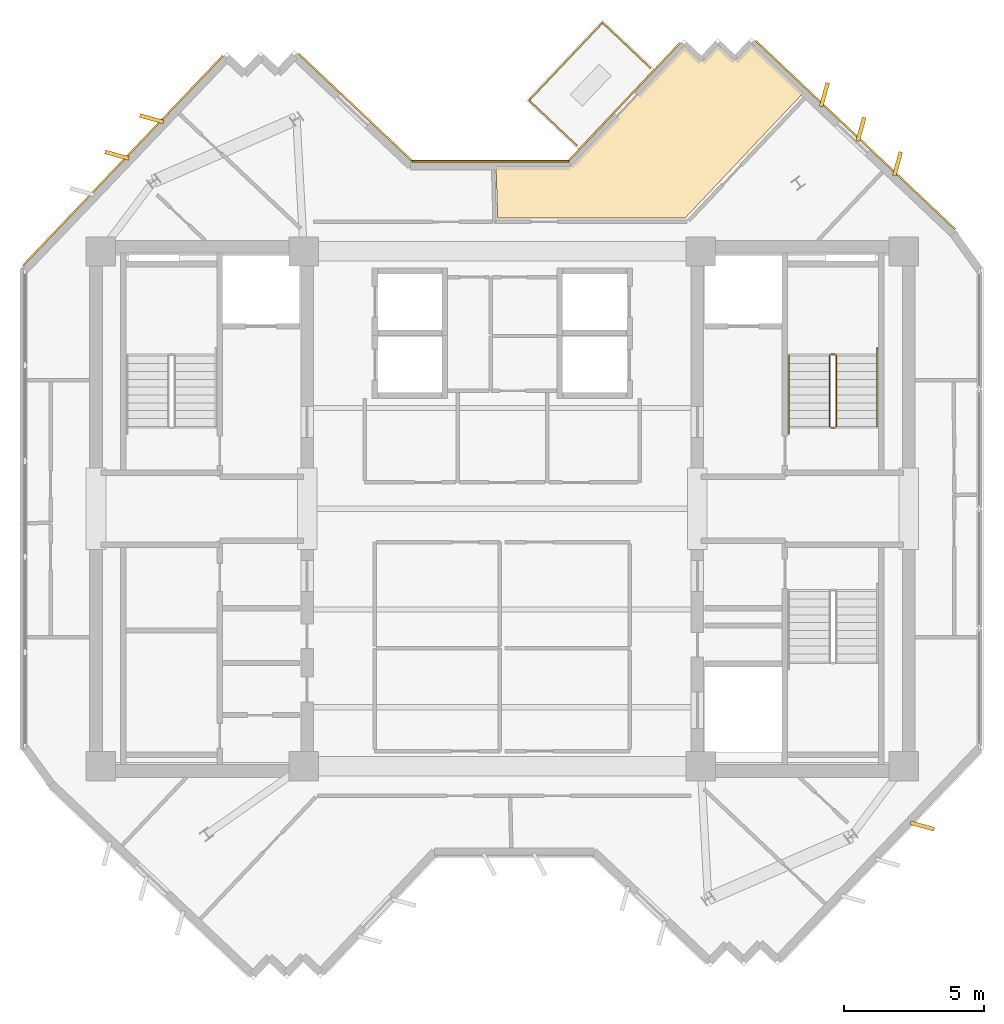
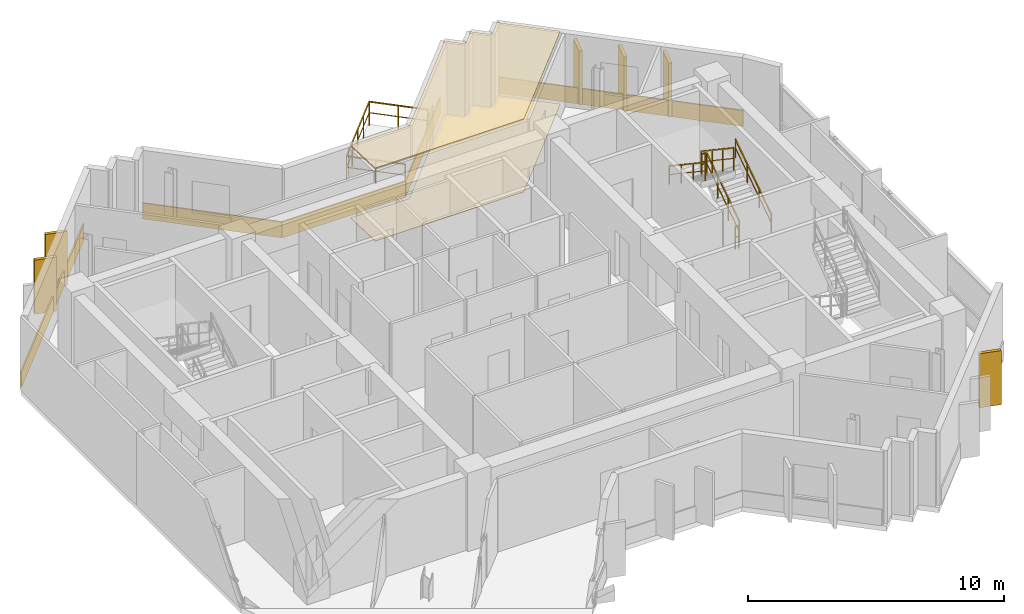
# One storey, part 9 of 9: 13 coverings, 9 railings.
"""IFC4 building model written with IfcOpenShell, lengths in metres."""

from ifc_helpers import new_model, si_unit, direction, frame, origin, origin_2d, place, context, subcontext, project, spatial, polyline, rectangle, outline, extrude, source, transform, mapped, material, layer, layer_set, type_object, element, save


model = new_model("IFC4")

# Units and contexts
model_context = context("Model", 3, precision=1e-05, world=origin(), true_north=direction((0.0, 1.0)))
body_context = subcontext(model_context, "Body", "Model", "MODEL_VIEW")
ifc_project = project(units=[si_unit("LENGTHUNIT", "METRE"), si_unit("AREAUNIT", "SQUARE_METRE"), si_unit("VOLUMEUNIT", "CUBIC_METRE"), si_unit("PLANEANGLEUNIT", "RADIAN"), si_unit("MASSUNIT", "GRAM", prefix="KILO")], contexts=[model_context])

# Site, building, storey
site_placement = place(None, origin())
site = spatial("IfcSite", under=ifc_project, at=site_placement, CompositionType="ELEMENT")
building_placement = place(site_placement, origin())
building = spatial("IfcBuilding", under=site, at=building_placement, Name="Zahravan Cultural Tower", CompositionType="ELEMENT")
storey_placement = place(building_placement, frame((0.0, 0.0, 302.85009765625)))
storey = spatial("IfcBuildingStorey", under=building, at=storey_placement, Name="L73", CompositionType="ELEMENT", Elevation=302.85009765625)

# Coverings
ifc_material_1 = material(Name="Acoustic mineral fibreboard")
ifc_layer_1 = layer(ifc_material_1, 0.0400390625)
ifc_layer_set_1 = layer_set([ifc_layer_1], Name="Acoustic mineral fibreboard")
covering_type_1 = type_object("IfcCoveringType", Name="COV-CEIL-AC20", PredefinedType="CEILING", material=ifc_layer_set_1)
covering_1_placement = place(storey_placement, frame((0.0, 0.0, 3.4599609375)))
element("IfcCovering", 1, at=covering_1_placement, inside=storey, type_object=covering_type_1, Name="L73 Acoustic Suspended Ceiling", PredefinedType="CEILING", context=body_context, shape_type="SweptSolid", body=[
    extrude(outline(polyline([(44.910888671875, 43.62060546875), (44.431396484375, 43.11328125), (44.38671875, 43.08154296875), (44.3251953125, 43.0673828125), (44.262939453125, 43.077880859375), (44.21630859375, 43.107177734375), (43.709228515625, 43.58642578125), (43.22021484375, 43.069580078125), (43.1552734375, 43.03662109375), (43.076171875, 43.0380859375), (43.01611328125, 43.072021484375), (42.5078125, 43.552490234375), (38.4736328125, 39.2841796875), (38.427001953125, 39.25146484375), (38.37109375, 39.239990234375), (35.775390625, 39.239990234375), (35.8359375, 37.39990234375), (42.54052734375, 37.39990234375), (46.76416015625, 41.868896484375), (44.910888671875, 43.62060546875)])), origin(), (0.0, 0.0, 1.0), 0.0400390625),
])
ifc_material_2 = material(Name="Terrazzo flooring")
ifc_layer_2 = layer(ifc_material_2, 0.02490234375)
ifc_layer_set_2 = layer_set([ifc_layer_2], Name="Terrazzo flooring")
covering_type_2 = type_object("IfcCoveringType", Name="COV-FLR-TZ25", PredefinedType="FLOORING", material=ifc_layer_set_2)
covering_2_placement = place(storey_placement, origin())
element("IfcCovering", 2, at=covering_2_placement, inside=storey, type_object=covering_type_2, Name="L73 Polished Terrazzo Flooring", PredefinedType="FLOORING", context=body_context, shape_type="SweptSolid", body=[
    extrude(outline(polyline([(44.910888671875, 43.62060546875), (44.431396484375, 43.11328125), (44.38671875, 43.08154296875), (44.3251953125, 43.0673828125), (44.262939453125, 43.077880859375), (44.21630859375, 43.107177734375), (43.709228515625, 43.58642578125), (43.22021484375, 43.069580078125), (43.1552734375, 43.03662109375), (43.076171875, 43.0380859375), (43.01611328125, 43.072021484375), (42.5078125, 43.552490234375), (38.4736328125, 39.2841796875), (38.427001953125, 39.25146484375), (38.37109375, 39.239990234375), (35.775390625, 39.239990234375), (35.8359375, 37.39990234375), (42.54052734375, 37.39990234375), (46.76416015625, 41.868896484375), (44.910888671875, 43.62060546875)])), origin(), (0.0, 0.0, 1.0), 0.02490234375),
])

# Railings
ifc_material_3 = material(Name="Steel ASTM A572 Grade 50", Category="steel")
railing_type_1 = type_object("IfcRailingType", Name="RL-BAL-1150", PredefinedType="BALUSTRADE", material=ifc_material_3)
railing_1_placement = place(storey_placement, frame((36.960205078125, 41.599365234375, 0.0)))
element("IfcRailing", 3, at=railing_1_placement, inside=storey, type_object=railing_type_1, Name="L73 Edge Balustrade GRD-TR-L73-NE-01", PredefinedType="BALUSTRADE", context=body_context, shape_type="SweptSolid", body=[
    extrude(rectangle(XDim=0.05, YDim=0.05, at=origin_2d()), frame((0.0, 0.0, 1.125), z_axis=(0.686918114737, 0.726734823472, 0.0), x_axis=(-0.726734823472, 0.686918114737, 0.0)), (0.0, 0.0, 1.0), 3.820068359375),
    extrude(rectangle(XDim=0.032, YDim=0.032, at=origin_2d()), frame((0.0, 0.0, 0.597900390625), z_axis=(0.686918114737, 0.726734823472, 0.0), x_axis=(-0.726734823472, 0.686918114737, 0.0)), (0.0, 0.0, 1.0), 3.820068359375),
    extrude(rectangle(XDim=0.04, YDim=0.04, at=origin_2d()), origin(), (0.0, 0.0, 1.0), 1.14990234375),
    extrude(rectangle(XDim=0.04, YDim=0.04, at=origin_2d()), frame((0.656005859375, 0.694091796875, 0.0)), (0.0, 0.0, 1.0), 1.14990234375),
    extrude(rectangle(XDim=0.04, YDim=0.04, at=origin_2d()), frame((1.31201171875, 1.38818359375, 0.0)), (0.0, 0.0, 1.0), 1.14990234375),
    extrude(rectangle(XDim=0.04, YDim=0.04, at=origin_2d()), frame((1.968017578125, 2.08203125, 0.0)), (0.0, 0.0, 1.0), 1.14990234375),
    extrude(rectangle(XDim=0.04, YDim=0.04, at=origin_2d()), frame((2.6240234375, 2.776123046875, 0.0)), (0.0, 0.0, 1.0), 1.14990234375),
])
railing_2_placement = place(storey_placement, frame((39.584228515625, 44.37548828125, 0.0)))
element("IfcRailing", 4, at=railing_2_placement, inside=storey, type_object=railing_type_1, Name="L73 Edge Balustrade GRD-TR-L73-NE-02", PredefinedType="BALUSTRADE", context=body_context, shape_type="SweptSolid", body=[
    extrude(rectangle(XDim=0.05, YDim=0.05, at=origin_2d()), frame((0.0, 0.0, 1.125), z_axis=(0.726773954161, -0.686876713504, 0.0), x_axis=(0.686876713504, 0.726773954161, 0.0)), (0.0, 0.0, 1.0), 2.349853515625),
    extrude(rectangle(XDim=0.032, YDim=0.032, at=origin_2d()), frame((0.0, 0.0, 0.597900390625), z_axis=(0.726773954161, -0.686876713504, 0.0), x_axis=(0.686876713504, 0.726773954161, 0.0)), (0.0, 0.0, 1.0), 2.349853515625),
    extrude(rectangle(XDim=0.04, YDim=0.04, at=origin_2d()), origin(), (0.0, 0.0, 1.0), 1.14990234375),
    extrude(rectangle(XDim=0.04, YDim=0.04, at=origin_2d()), frame((0.85400390625, -0.80712890625, 0.0)), (0.0, 0.0, 1.0), 1.14990234375),
    extrude(rectangle(XDim=0.04, YDim=0.04, at=origin_2d()), frame((1.707763671875, -1.614013671875, 0.0)), (0.0, 0.0, 1.0), 1.14990234375),
])
railing_3_placement = place(storey_placement, frame((38.668212890625, 39.985107421875, 0.0)))
element("IfcRailing", 5, at=railing_3_placement, inside=storey, type_object=railing_type_1, Name="L73 Edge Balustrade GRD-TR-L73-NE-03", PredefinedType="BALUSTRADE", context=body_context, shape_type="SweptSolid", body=[
    extrude(rectangle(XDim=0.05, YDim=0.05, at=origin_2d()), frame((0.0, 0.0, 1.125), z_axis=(-0.726771107272, 0.686879725741, 0.0), x_axis=(-0.686879725741, -0.726771107272, 0.0)), (0.0, 0.0, 1.0), 2.35009765625),
    extrude(rectangle(XDim=0.032, YDim=0.032, at=origin_2d()), frame((0.0, 0.0, 0.597900390625), z_axis=(-0.726771107272, 0.686879725741, 0.0), x_axis=(-0.686879725741, -0.726771107272, 0.0)), (0.0, 0.0, 1.0), 2.35009765625),
    extrude(rectangle(XDim=0.04, YDim=0.04, at=origin_2d()), origin(), (0.0, 0.0, 1.0), 1.14990234375),
    extrude(rectangle(XDim=0.04, YDim=0.04, at=origin_2d()), frame((-0.85400390625, 0.80712890625, 0.0)), (0.0, 0.0, 1.0), 1.14990234375),
    extrude(rectangle(XDim=0.04, YDim=0.04, at=origin_2d()), frame((-1.7080078125, 1.6142578125, 0.0)), (0.0, 0.0, 1.0), 1.14990234375),
])
railing_type_2 = type_object("IfcRailingType", Name="RL-STAIR-GRD1150", PredefinedType="BALUSTRADE", material=ifc_material_3)
railing_4_placement = place(storey_placement, frame((47.949951171875, 29.949951171875, 0.1875)))
element("IfcRailing", 6, at=railing_4_placement, inside=storey, type_object=railing_type_2, Name="L73 ST-E1 stair guard 1", PredefinedType="BALUSTRADE", context=body_context, shape_type="SweptSolid", body=[
    extrude(rectangle(XDim=0.05, YDim=0.05, at=origin_2d()), frame((0.0, 0.0, 1.0751953125), z_axis=(0.0, 0.830909170722, 0.55640807867), x_axis=(-1.0, 0.0, 0.0)), (0.0, 0.0, 1.0), 3.032958984375),
    extrude(rectangle(XDim=0.032, YDim=0.032, at=origin_2d()), frame((0.0, 0.0, 0.572021484375), z_axis=(0.0, 0.830909170722, 0.55640807867), x_axis=(-1.0, 0.0, 0.0)), (0.0, 0.0, 1.0), 3.032958984375),
    extrude(rectangle(XDim=0.04, YDim=0.04, at=origin_2d()), origin(), (0.0, 0.0, 1.0), 1.10009765625),
    extrude(rectangle(XDim=0.04, YDim=0.04, at=origin_2d()), frame((0.0, 0.840087890625, 0.5625)), (0.0, 0.0, 1.0), 1.10009765625),
    extrude(rectangle(XDim=0.04, YDim=0.04, at=origin_2d()), frame((0.0, 1.679931640625, 1.125)), (0.0, 0.0, 1.0), 1.10009765625),
    extrude(rectangle(XDim=0.04, YDim=0.04, at=origin_2d()), frame((0.0, 2.52001953125, 1.6875)), (0.0, 0.0, 1.0), 1.10009765625),
])
railing_5_placement = place(storey_placement, frame((47.89990234375, 32.52001953125, 1.875)))
element("IfcRailing", 7, at=railing_5_placement, inside=storey, type_object=railing_type_2, Name="L73 ST-E1 stair guard 2", PredefinedType="BALUSTRADE", context=body_context, shape_type="SweptSolid", body=[
    extrude(rectangle(XDim=0.05, YDim=0.05, at=origin_2d()), frame((0.0, 0.0, 1.0751953125), z_axis=(-1.0, 0.0, 0.0), x_axis=(0.0, -1.0, 0.0)), (0.0, 0.0, 1.0), 0.14990234375),
    extrude(rectangle(XDim=0.032, YDim=0.032, at=origin_2d()), frame((0.0, 0.0, 0.572021484375), z_axis=(-1.0, 0.0, 0.0), x_axis=(0.0, -1.0, 0.0)), (0.0, 0.0, 1.0), 0.14990234375),
    extrude(rectangle(XDim=0.04, YDim=0.04, at=origin_2d()), origin(), (0.0, 0.0, 1.0), 1.10009765625),
    extrude(rectangle(XDim=0.04, YDim=0.04, at=origin_2d()), frame((-0.14990234375, 0.0, 0.0)), (0.0, 0.0, 1.0), 1.10009765625),
])
railing_6_placement = place(storey_placement, frame((47.699951171875, 32.469970703125, 2.0625)))
element("IfcRailing", 8, at=railing_6_placement, inside=storey, type_object=railing_type_2, Name="L73 ST-E1 stair guard 3", PredefinedType="BALUSTRADE", context=body_context, shape_type="SweptSolid", body=[
    extrude(rectangle(XDim=0.05, YDim=0.05, at=origin_2d()), frame((0.0, 0.0, 1.0751953125), z_axis=(0.0, -0.830909170722, 0.55640807867), x_axis=(1.0, 0.0, 0.0)), (0.0, 0.0, 1.0), 3.032958984375),
    extrude(rectangle(XDim=0.032, YDim=0.032, at=origin_2d()), frame((0.0, 0.0, 0.572021484375), z_axis=(0.0, -0.830909170722, 0.55640807867), x_axis=(1.0, 0.0, 0.0)), (0.0, 0.0, 1.0), 3.032958984375),
    extrude(rectangle(XDim=0.04, YDim=0.04, at=origin_2d()), origin(), (0.0, 0.0, 1.0), 1.10009765625),
    extrude(rectangle(XDim=0.04, YDim=0.04, at=origin_2d()), frame((0.0, -0.840087890625, 0.5625)), (0.0, 0.0, 1.0), 1.10009765625),
    extrude(rectangle(XDim=0.04, YDim=0.04, at=origin_2d()), frame((0.0, -1.679931640625, 1.125)), (0.0, 0.0, 1.0), 1.10009765625),
    extrude(rectangle(XDim=0.04, YDim=0.04, at=origin_2d()), frame((0.0, -2.52001953125, 1.6875)), (0.0, 0.0, 1.0), 1.10009765625),
])
railing_7_placement = place(storey_placement, frame((47.89990234375, 29.89990234375, 0.0)))
element("IfcRailing", 9, at=railing_7_placement, inside=storey, type_object=railing_type_2, Name="L73 ST-E1 stair guard 4", PredefinedType="BALUSTRADE", context=body_context, shape_type="SweptSolid", body=[
    extrude(rectangle(XDim=0.05, YDim=0.05, at=origin_2d()), frame((0.0, 0.0, 1.0751953125), z_axis=(-1.0, 0.0, 0.0), x_axis=(0.0, -1.0, 0.0)), (0.0, 0.0, 1.0), 0.14990234375),
    extrude(rectangle(XDim=0.032, YDim=0.032, at=origin_2d()), frame((0.0, 0.0, 0.572021484375), z_axis=(-1.0, 0.0, 0.0), x_axis=(0.0, -1.0, 0.0)), (0.0, 0.0, 1.0), 0.14990234375),
    extrude(rectangle(XDim=0.04, YDim=0.04, at=origin_2d()), origin(), (0.0, 0.0, 1.0), 1.10009765625),
    extrude(rectangle(XDim=0.04, YDim=0.04, at=origin_2d()), frame((-0.14990234375, 0.0, 0.0)), (0.0, 0.0, 1.0), 1.10009765625),
])
railing_type_3 = type_object("IfcRailingType", Name="RL-STAIR-HR900", PredefinedType="HANDRAIL", material=ifc_material_3)
railing_8_placement = place(storey_placement, frame((49.39990234375, 29.949951171875, 0.1875)))
element("IfcRailing", 10, at=railing_8_placement, inside=storey, type_object=railing_type_3, Name="L73 ST-E1 stair handrail 1", PredefinedType="HANDRAIL", context=body_context, shape_type="SweptSolid", body=[
    extrude(rectangle(XDim=0.05, YDim=0.05, at=origin_2d()), frame((0.0, 0.0, 0.875), z_axis=(0.0, 0.830911662861, 0.55640435703), x_axis=(-1.0, 0.0, 0.0)), (0.0, 0.0, 1.0), 3.369873046875),
    extrude(rectangle(XDim=0.032, YDim=0.032, at=origin_2d()), frame((0.0, 0.0, 0.468017578125), z_axis=(0.0, 0.830911662861, 0.55640435703), x_axis=(-1.0, 0.0, 0.0)), (0.0, 0.0, 1.0), 3.369873046875),
    extrude(rectangle(XDim=0.04, YDim=0.04, at=origin_2d()), origin(), (0.0, 0.0, 1.0), 0.89990234375),
    extrude(rectangle(XDim=0.04, YDim=0.04, at=origin_2d()), frame((0.0, 0.933349609375, 0.625)), (0.0, 0.0, 1.0), 0.89990234375),
    extrude(rectangle(XDim=0.04, YDim=0.04, at=origin_2d()), frame((0.0, 1.86669921875, 1.25)), (0.0, 0.0, 1.0), 0.89990234375),
    extrude(rectangle(XDim=0.04, YDim=0.04, at=origin_2d()), frame((0.0, 2.800048828125, 1.875)), (0.0, 0.0, 1.0), 0.89990234375),
])
railing_9_placement = place(storey_placement, frame((46.25, 32.469970703125, 2.0625)))
element("IfcRailing", 11, at=railing_9_placement, inside=storey, type_object=railing_type_3, Name="L73 ST-E1 stair handrail 2", PredefinedType="HANDRAIL", context=body_context, shape_type="SweptSolid", body=[
    extrude(rectangle(XDim=0.05, YDim=0.05, at=origin_2d()), frame((0.0, 0.0, 0.875), z_axis=(0.0, -0.830911662861, 0.55640435703), x_axis=(1.0, 0.0, 0.0)), (0.0, 0.0, 1.0), 3.369873046875),
    extrude(rectangle(XDim=0.032, YDim=0.032, at=origin_2d()), frame((0.0, 0.0, 0.468017578125), z_axis=(0.0, -0.830911662861, 0.55640435703), x_axis=(1.0, 0.0, 0.0)), (0.0, 0.0, 1.0), 3.369873046875),
    extrude(rectangle(XDim=0.04, YDim=0.04, at=origin_2d()), origin(), (0.0, 0.0, 1.0), 0.89990234375),
    extrude(rectangle(XDim=0.04, YDim=0.04, at=origin_2d()), frame((0.0, -0.933349609375, 0.625)), (0.0, 0.0, 1.0), 0.89990234375),
    extrude(rectangle(XDim=0.04, YDim=0.04, at=origin_2d()), frame((0.0, -1.86669921875, 1.25)), (0.0, 0.0, 1.0), 0.89990234375),
    extrude(rectangle(XDim=0.04, YDim=0.04, at=origin_2d()), frame((0.0, -2.800048828125, 1.875)), (0.0, 0.0, 1.0), 0.89990234375),
])

# Coverings
ifc_material_4 = material(Name="Terracotta ceramic cladding", Category="masonry")
ifc_layer_3 = layer(ifc_material_4, 0.06005859375)
ifc_layer_set_3 = layer_set([ifc_layer_3], Name="Terracotta ceramic cladding")
covering_type_3 = type_object("IfcCoveringType", Name="COV-CLAD-TC60", PredefinedType="CLADDING", material=ifc_layer_set_3)
shared_shape_1 = source(origin(), body_context, "Body", "SweptSolid", [
    extrude(rectangle(XDim=9.820068359375, YDim=0.06005859375, at=origin_2d()), origin(), (0.0, 0.0, 1.0), 0.760009765625),
])
covering_3_placement = place(storey_placement, frame((48.628173828125, 40.36181640625, 0.02001953125), z_axis=(0.0, 0.0, 1.0), x_axis=(0.726766513668, -0.686884586092, 0.0)))
element("IfcCovering", 12, at=covering_3_placement, inside=storey, type_object=covering_type_3, Name="L73 Terracotta Spandrel Cladding 06", PredefinedType="CLADDING", context=body_context, shape_type="MappedRepresentation", body=[
    mapped(shared_shape_1, transform((0.0, 0.0, 0.0), x_axis=(1.0, 0.0, 0.0), y_axis=(0.0, 1.0, 0.0), z_axis=(0.0, 0.0, 1.0), scale=1.0)),
])
shared_shape_2 = source(origin(), body_context, "Body", "SweptSolid", [
    extrude(rectangle(XDim=0.8798828125, YDim=0.139892578125, at=origin_2d()), origin(), (0.0, 0.0, 1.0), 2.580078125),
])
for number, where, z_axis, x_axis, name in (
    (13, (47.515869140625, 41.805419921875, 0.0498046875), (0.0, 0.0, 1.0), (0.26528688091, 0.9641695239, 0.0), "L73 Herringbone Terracotta Fin 01"),
    (14, (48.823974609375, 40.56884765625, 0.0498046875), (0.0, 0.0, 1.0), (0.26528688091, 0.9641695239, 0.0), "L73 Herringbone Terracotta Fin 02"),
    (15, (50.132080078125, 39.33251953125, 0.0498046875), (0.0, 0.0, 1.0), (0.26528688091, 0.9641695239, 0.0), "L73 Herringbone Terracotta Fin 03"),
    (16, (51.015380859375, 15.661376953125, 0.0498046875), (0.0, 0.0, 1.0), (0.962998113332, -0.269508132935, 0.0), "L73 Herringbone Terracotta Fin 04"),
    (17, (22.226806640625, 39.641357421875, 0.0498046875), (0.0, 0.0, 1.0), (-0.962998113332, 0.269508132935, 0.0), "L73 Herringbone Terracotta Fin 17"),
    (18, (23.468994140625, 40.944091796875, 0.0498046875), (0.0, 0.0, 1.0), (-0.962998113332, 0.269508132935, 0.0), "L73 Herringbone Terracotta Fin 18"),
):
    element("IfcCovering", number, at=place(storey_placement, frame(where, z_axis=z_axis, x_axis=x_axis)), inside=storey, type_object=covering_type_3, Name=name, PredefinedType="CLADDING", context=body_context, shape_type="MappedRepresentation", body=[
        mapped(shared_shape_2, transform((0.0, 0.0, 0.0), x_axis=(1.0, 0.0, 0.0), y_axis=(0.0, 1.0, 0.0), z_axis=(0.0, 0.0, 1.0), scale=1.0)),
    ])
shared_shape_3 = source(origin(), body_context, "Body", "SweptSolid", [
    extrude(rectangle(XDim=5.84521484375, YDim=0.06005859375, at=origin_2d()), origin(), (0.0, 0.0, 1.0), 0.760009765625),
])
covering_4_placement = place(storey_placement, frame((40.34521484375, 41.53369140625, 0.02001953125), z_axis=(0.0, 0.0, 1.0), x_axis=(0.686871901519, 0.726778501955, 0.0)))
element("IfcCovering", 19, at=covering_4_placement, inside=storey, type_object=covering_type_3, Name="L73 Terracotta Spandrel Cladding 01", PredefinedType="CLADDING", context=body_context, shape_type="MappedRepresentation", body=[
    mapped(shared_shape_3, transform((0.0, 0.0, 0.0), x_axis=(1.0, 0.0, 0.0), y_axis=(0.0, 1.0, 0.0), z_axis=(0.0, 0.0, 1.0), scale=1.0)),
])
shared_shape_4 = source(origin(), body_context, "Body", "SweptSolid", [
    extrude(rectangle(XDim=10.3701171875, YDim=0.06005859375, at=origin_2d()), origin(), (0.0, 0.0, 1.0), 0.760009765625),
])
covering_5_placement = place(storey_placement, frame((22.43310546875, 39.444580078125, 0.02001953125), z_axis=(0.0, 0.0, 1.0), x_axis=(0.690061786457, 0.723750461742, 0.0)))
element("IfcCovering", 20, at=covering_5_placement, inside=storey, type_object=covering_type_3, Name="L73 Terracotta Spandrel Cladding 22", PredefinedType="CLADDING", context=body_context, shape_type="MappedRepresentation", body=[
    mapped(shared_shape_4, transform((0.0, 0.0, 0.0), x_axis=(1.0, 0.0, 0.0), y_axis=(0.0, 1.0, 0.0), z_axis=(0.0, 0.0, 1.0), scale=1.0)),
])
shared_shape_5 = source(origin(), body_context, "Body", "SweptSolid", [
    extrude(rectangle(XDim=5.617919921875, YDim=0.06005859375, at=origin_2d()), origin(), (0.0, 0.0, 1.0), 0.760009765625),
])
covering_6_placement = place(storey_placement, frame((30.759521484375, 41.34375, 0.02001953125), z_axis=(0.0, 0.0, 1.0), x_axis=(0.726766513668, -0.686884586092, 0.0)))
element("IfcCovering", 21, at=covering_6_placement, inside=storey, type_object=covering_type_3, Name="L73 Terracotta Spandrel Cladding 27", PredefinedType="CLADDING", context=body_context, shape_type="MappedRepresentation", body=[
    mapped(shared_shape_5, transform((0.0, 0.0, 0.0), x_axis=(1.0, 0.0, 0.0), y_axis=(0.0, 1.0, 0.0), z_axis=(0.0, 0.0, 1.0), scale=1.0)),
])
shared_shape_6 = source(origin(), body_context, "Body", "SweptSolid", [
    extrude(rectangle(XDim=5.599365234375, YDim=0.06005859375, at=origin_2d()), origin(), (0.0, 0.0, 1.0), 0.760009765625),
])
covering_7_placement = place(storey_placement, frame((35.573486328125, 39.425048828125, 0.02001953125), z_axis=(0.0, 0.0, 1.0), x_axis=(1.0, 0.0, 0.0)))
element("IfcCovering", 22, at=covering_7_placement, inside=storey, type_object=covering_type_3, Name="L73 Terracotta Spandrel Cladding 28", PredefinedType="CLADDING", context=body_context, shape_type="MappedRepresentation", body=[
    mapped(shared_shape_6, transform((0.0, 0.0, 0.0), x_axis=(1.0, 0.0, 0.0), y_axis=(0.0, 1.0, 0.0), z_axis=(0.0, 0.0, 1.0), scale=1.0)),
])

save(model, "model.ifc")
